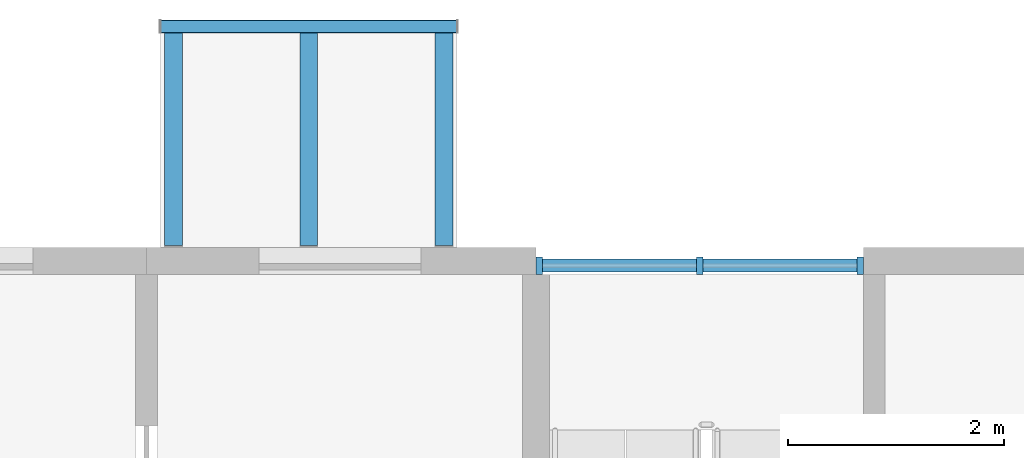
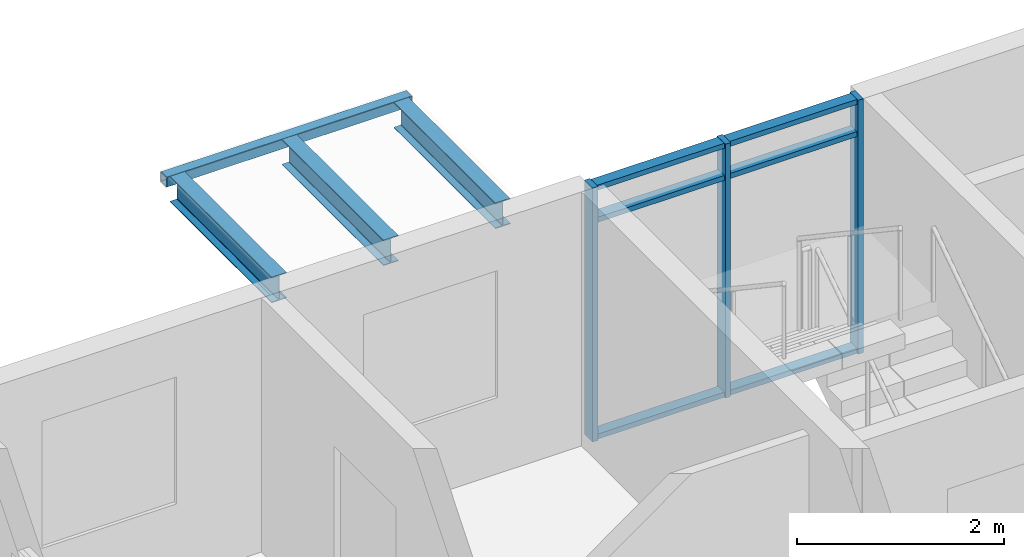
# One storey, part 25 of 87: 9 members, 4 beams, 1 element without a shape of its own.
"""IFC4 building model written with IfcOpenShell, lengths in metres."""

from ifc_helpers import new_model, si_unit, direction, frame, origin, origin_2d, place, context, subcontext, project, spatial, rectangle, hollow_rectangle, i_section, extrude, material, material_profile, profile_set, type_object, element, aggregate, save


model = new_model("IFC4")

# Units and contexts
model_context = context("Model", 3, precision=1e-05, world=origin(), true_north=direction((0.0, 1.0)))
body_context = subcontext(model_context, "Body", "Model", "MODEL_VIEW")
ifc_project = project(units=[si_unit("LENGTHUNIT", "METRE"), si_unit("AREAUNIT", "SQUARE_METRE"), si_unit("VOLUMEUNIT", "CUBIC_METRE"), si_unit("PLANEANGLEUNIT", "RADIAN"), si_unit("MASSUNIT", "GRAM", prefix="KILO")], contexts=[model_context])

# Site, building, storey
site_placement = place(None, origin())
site = spatial("IfcSite", under=ifc_project, at=site_placement, CompositionType="ELEMENT")
building_placement = place(site_placement, origin())
building = spatial("IfcBuilding", under=site, at=building_placement, Name="Ridgestep Commons", CompositionType="ELEMENT")
storey_placement = place(building_placement, frame((0.0, 0.0, 27.0)))
storey = spatial("IfcBuildingStorey", under=building, at=storey_placement, Name="L09", CompositionType="ELEMENT", Elevation=27.0)

# Curtain wall, members
ifc_material_1 = material(Name="Aluminium 6063-T6 and glass", Category="aluminium")
curtain_wall_type = type_object("IfcCurtainWallType", Name="Curtain wall stair strip", PredefinedType="NOTDEFINED", material=ifc_material_1)
curtain_wall_placement = place(storey_placement, origin())
curtain_wall = element("IfcCurtainWall", 1, at=curtain_wall_placement, inside=storey, type_object=curtain_wall_type, Name="Curtain wall C5C level 09", PredefinedType="NOTDEFINED")
ifc_material_2 = material(Name="Aluminium 6063-T6", Category="aluminium")
ifc_material_profile_1 = material_profile(ifc_material_2, rectangle(XDim=0.159912109375, YDim=0.06005859375, at=origin_2d()), Name="Mullion 60 x 160")
ifc_profile_set_1 = profile_set([ifc_material_profile_1], Name="Aluminium 6063-T6")
member_type_1 = type_object("IfcMemberType", Name="Mullion 60 x 160", PredefinedType="MULLION", material=ifc_profile_set_1)
member_1_placement = place(storey_placement, frame((224.830078125, 77.080078125, 0.0), z_axis=(0.0, 0.0, 1.0), x_axis=(0.0, 1.0, 0.0)))
member_1 = element("IfcMember", 2, at=member_1_placement, type_object=member_type_1, Name="CW1 mullion 1", PredefinedType="MULLION", context=body_context, shape_type="SweptSolid", body=[
    extrude(rectangle(XDim=0.159912109375, YDim=0.06005859375, at=origin_2d()), origin(), (0.0, 0.0, 1.0), 3.0),
])
member_2_placement = place(storey_placement, frame((226.3125, 77.080078125, 0.0), z_axis=(0.0, 0.0, 1.0), x_axis=(0.0, 1.0, 0.0)))
member_2 = element("IfcMember", 3, at=member_2_placement, type_object=member_type_1, Name="CW1 mullion 2", PredefinedType="MULLION", context=body_context, shape_type="SweptSolid", body=[
    extrude(rectangle(XDim=0.159912109375, YDim=0.06005859375, at=origin_2d()), origin(), (0.0, 0.0, 1.0), 3.0),
])
member_3_placement = place(storey_placement, frame((227.794921875, 77.080078125, 0.0), z_axis=(0.0, 0.0, 1.0), x_axis=(0.0, 1.0, 0.0)))
member_3 = element("IfcMember", 4, at=member_3_placement, type_object=member_type_1, Name="CW1 mullion 3", PredefinedType="MULLION", context=body_context, shape_type="SweptSolid", body=[
    extrude(rectangle(XDim=0.159912109375, YDim=0.06005859375, at=origin_2d()), origin(), (0.0, 0.0, 1.0), 3.0),
])
ifc_material_3 = material(Name="Aluminium 6063-T6", Category="aluminium")
ifc_material_profile_2 = material_profile(ifc_material_3, rectangle(XDim=0.1201171875, YDim=0.06005859375, at=origin_2d()), Name="Transom 60 x 120")
ifc_profile_set_2 = profile_set([ifc_material_profile_2], Name="Aluminium 6063-T6")
member_type_2 = type_object("IfcMemberType", Name="Transom 60 x 120", PredefinedType="USERDEFINED", material=ifc_profile_set_2)
member_4_placement = place(storey_placement, frame((224.860107421875, 77.080078125, 0.030029296875), z_axis=(1.0, 0.0, 0.0), x_axis=(0.0, 1.0, 0.0)))
member_4 = element("IfcMember", 5, at=member_4_placement, type_object=member_type_2, Name="CW1 transom 1.1", ObjectType="TRANSOM", PredefinedType="USERDEFINED", context=body_context, shape_type="SweptSolid", body=[
    extrude(rectangle(XDim=0.1201171875, YDim=0.06005859375, at=origin_2d()), origin(), (0.0, 0.0, 1.0), 1.42236328125),
])
member_5_placement = place(storey_placement, frame((224.860107421875, 77.080078125, 2.590087890625), z_axis=(1.0, 0.0, 0.0), x_axis=(0.0, 1.0, 0.0)))
member_5 = element("IfcMember", 6, at=member_5_placement, type_object=member_type_2, Name="CW1 transom 1.2", ObjectType="TRANSOM", PredefinedType="USERDEFINED", context=body_context, shape_type="SweptSolid", body=[
    extrude(rectangle(XDim=0.1201171875, YDim=0.06005859375, at=origin_2d()), origin(), (0.0, 0.0, 1.0), 1.42236328125),
])
member_6_placement = place(storey_placement, frame((224.860107421875, 77.080078125, 2.969970703125), z_axis=(1.0, 0.0, 0.0), x_axis=(0.0, 1.0, 0.0)))
member_6 = element("IfcMember", 7, at=member_6_placement, type_object=member_type_2, Name="CW1 transom 1.3", ObjectType="TRANSOM", PredefinedType="USERDEFINED", context=body_context, shape_type="SweptSolid", body=[
    extrude(rectangle(XDim=0.1201171875, YDim=0.06005859375, at=origin_2d()), origin(), (0.0, 0.0, 1.0), 1.42236328125),
])
member_7_placement = place(storey_placement, frame((226.342529296875, 77.080078125, 0.030029296875), z_axis=(1.0, 0.0, 0.0), x_axis=(0.0, 1.0, 0.0)))
member_7 = element("IfcMember", 8, at=member_7_placement, type_object=member_type_2, Name="CW1 transom 2.1", ObjectType="TRANSOM", PredefinedType="USERDEFINED", context=body_context, shape_type="SweptSolid", body=[
    extrude(rectangle(XDim=0.1201171875, YDim=0.06005859375, at=origin_2d()), origin(), (0.0, 0.0, 1.0), 1.42236328125),
])
member_8_placement = place(storey_placement, frame((226.342529296875, 77.080078125, 2.590087890625), z_axis=(1.0, 0.0, 0.0), x_axis=(0.0, 1.0, 0.0)))
member_8 = element("IfcMember", 9, at=member_8_placement, type_object=member_type_2, Name="CW1 transom 2.2", ObjectType="TRANSOM", PredefinedType="USERDEFINED", context=body_context, shape_type="SweptSolid", body=[
    extrude(rectangle(XDim=0.1201171875, YDim=0.06005859375, at=origin_2d()), origin(), (0.0, 0.0, 1.0), 1.42236328125),
])
member_9_placement = place(storey_placement, frame((226.342529296875, 77.080078125, 2.969970703125), z_axis=(1.0, 0.0, 0.0), x_axis=(0.0, 1.0, 0.0)))
member_9 = element("IfcMember", 10, at=member_9_placement, type_object=member_type_2, Name="CW1 transom 2.3", ObjectType="TRANSOM", PredefinedType="USERDEFINED", context=body_context, shape_type="SweptSolid", body=[
    extrude(rectangle(XDim=0.1201171875, YDim=0.06005859375, at=origin_2d()), origin(), (0.0, 0.0, 1.0), 1.42236328125),
])
aggregate(curtain_wall, [member_1, member_2, member_3, member_4, member_5, member_6, member_7, member_8, member_9])

# Beams
ifc_material_4 = material(Name="Weathering steel S355J2W", Category="steel")
ifc_material_profile_3 = material_profile(ifc_material_4, i_section(OverallWidth=0.1650390625, OverallDepth=0.303466796875, WebThickness=0.006103515625, FlangeThickness=0.01025390625, FilletRadius=0.0087890625, at=origin_2d()), Name="UB 305x165x40")
ifc_profile_set_3 = profile_set([ifc_material_profile_3], Name="Weathering steel S355J2W")
beam_type_1 = type_object("IfcBeamType", Name="Tray arm UB 305x165x40", PredefinedType="BEAM", material=ifc_profile_set_3)
for number, where, z_axis, x_axis, name in (
    (11, (221.449951171875, 77.264892578125, 2.83837890625), (0.0, 1.0, 0.0), (-1.0, 0.0, 0.0), "Tray arm C5T3-10.1"),
    (12, (222.699951171875, 77.264892578125, 2.83837890625), (0.0, 1.0, 0.0), (-1.0, 0.0, 0.0), "Tray arm C5T3-10.2"),
    (13, (223.949951171875, 77.264892578125, 2.83837890625), (0.0, 1.0, 0.0), (-1.0, 0.0, 0.0), "Tray arm C5T3-10.3"),
):
    element("IfcBeam", number, at=place(storey_placement, frame(where, z_axis=z_axis, x_axis=x_axis)), inside=storey, type_object=beam_type_1, Name=name, PredefinedType="BEAM", context=body_context, shape_type="SweptSolid", body=[
        extrude(i_section(OverallWidth=0.1650390625, OverallDepth=0.303466796875, WebThickness=0.006103515625, FlangeThickness=0.01025390625, FilletRadius=0.0087890625, at=origin_2d()), origin(), (0.0, 0.0, 1.0), 1.965087890625),
    ])
ifc_material_5 = material(Name="Weathering steel S355J2W", Category="steel")
ifc_material_profile_4 = material_profile(ifc_material_5, hollow_rectangle(XDim=0.1201171875, YDim=0.1201171875, WallThickness=0.00634765625, InnerFilletRadius=0.00634765625, OuterFilletRadius=0.009521484375, at=origin_2d()), Name="SHS 120x120x6.3")
ifc_profile_set_4 = profile_set([ifc_material_profile_4], Name="Weathering steel S355J2W")
beam_type_2 = type_object("IfcBeamType", Name="Tray edge member SHS 120x120x6.3", PredefinedType="BEAM", material=ifc_profile_set_4)
beam_placement = place(storey_placement, frame((221.330078125, 79.2900390625, 2.929931640625), z_axis=(1.0, 0.0, 0.0), x_axis=(0.0, 0.0, 1.0)))
element("IfcBeam", 14, at=beam_placement, inside=storey, type_object=beam_type_2, Name="Tray edge member C5T3-10", PredefinedType="BEAM", context=body_context, shape_type="SweptSolid", body=[
    extrude(hollow_rectangle(XDim=0.1201171875, YDim=0.1201171875, WallThickness=0.00634765625, InnerFilletRadius=0.00634765625, OuterFilletRadius=0.009521484375, at=origin_2d()), origin(), (0.0, 0.0, 1.0), 2.739990234375),
])

save(model, "model.ifc")
